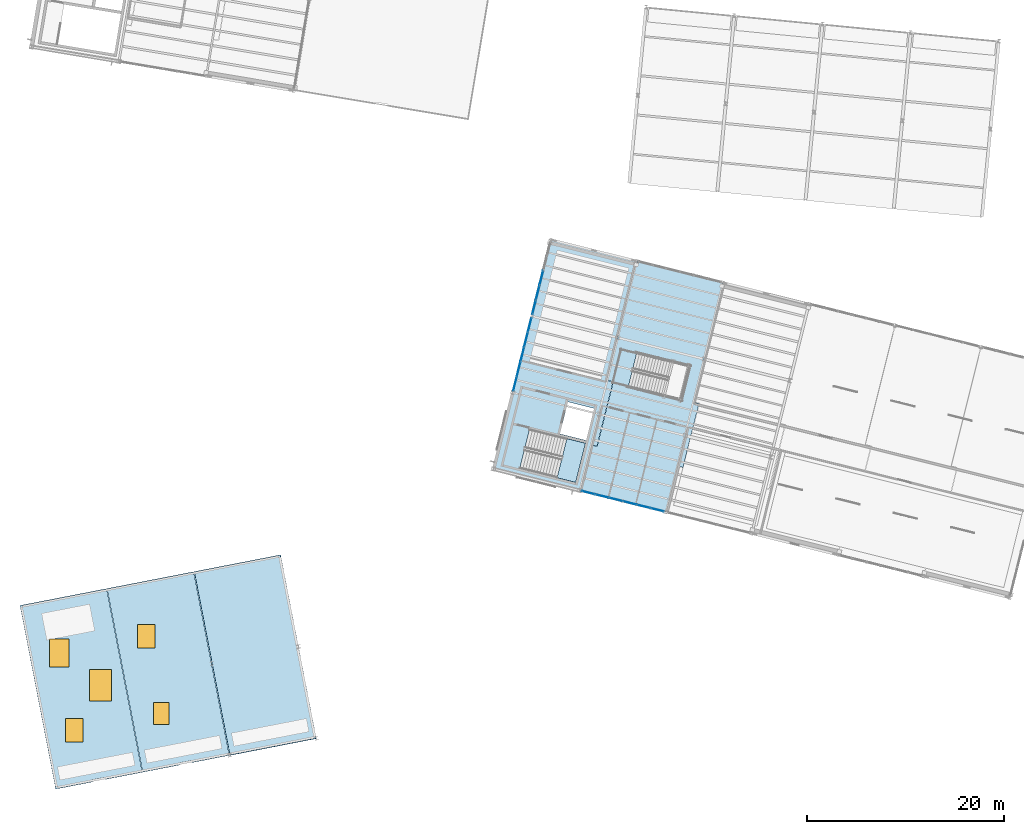
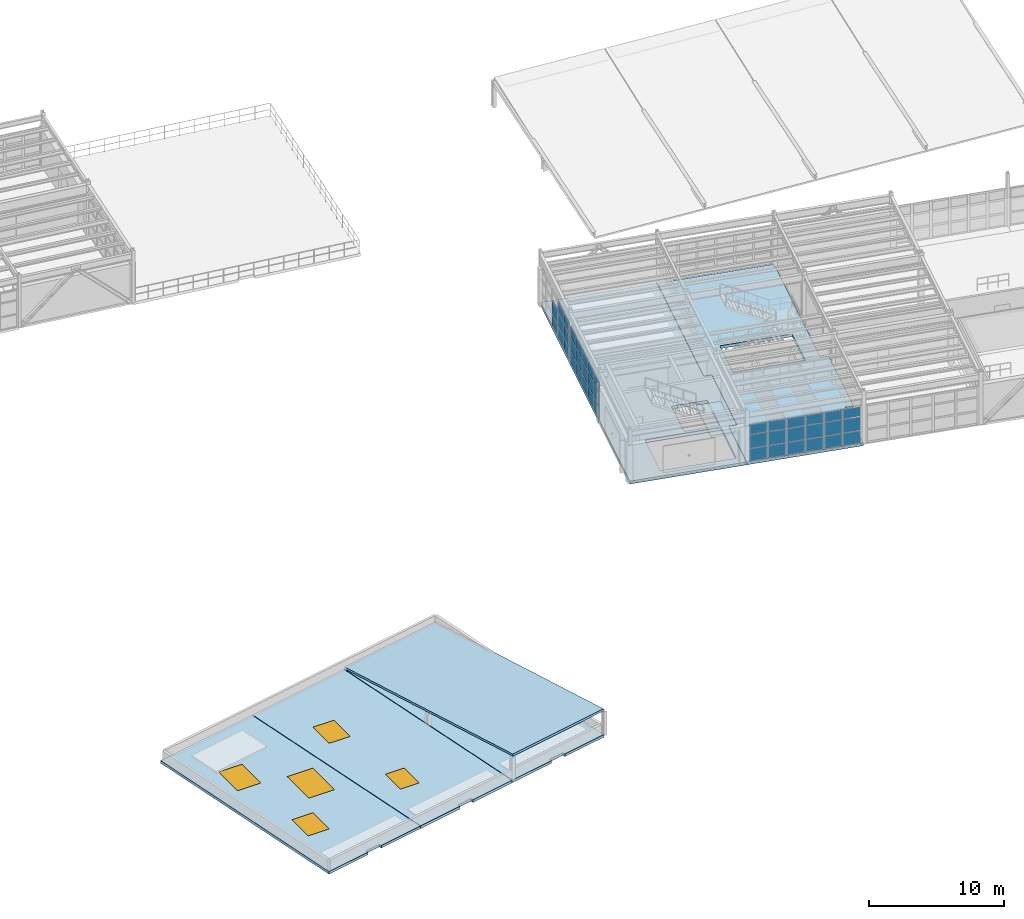
# One storey, part 33 of 59: 41 plates, 7 slabs, 5 windows, 5 openings, 4 elements without a shape of their own.
"""IFC4 building model written with IfcOpenShell, lengths in metres."""

from ifc_helpers import new_model, si_unit, direction, frame, origin, origin_2d, place, context, subcontext, project, spatial, polyline, rectangle, outline, extrude, material, layer, layer_set, type_object, element, fill, aggregate, save


model = new_model("IFC4")

# Units and contexts
model_context = context("Model", 3, precision=1e-05, world=origin(), true_north=direction((0.0, 1.0)))
body_context = subcontext(model_context, "Body", "Model", "MODEL_VIEW")
ifc_project = project(units=[si_unit("LENGTHUNIT", "METRE"), si_unit("AREAUNIT", "SQUARE_METRE"), si_unit("VOLUMEUNIT", "CUBIC_METRE"), si_unit("PLANEANGLEUNIT", "RADIAN"), si_unit("MASSUNIT", "GRAM", prefix="KILO")], contexts=[model_context])

# Site, building, storey
site_placement = place(None, origin())
site = spatial("IfcSite", under=ifc_project, at=site_placement, CompositionType="ELEMENT")
building_placement = place(site_placement, origin())
building = spatial("IfcBuilding", under=site, at=building_placement, Name="Vireo Bluff Cable Station", CompositionType="ELEMENT")
storey_placement = place(building_placement, frame((0.0, 0.0, 14.39990234375)))
storey = spatial("IfcBuildingStorey", under=building, at=storey_placement, Name="L03", CompositionType="ELEMENT", Elevation=14.39990234375)

# Curtain wall, plates
ifc_material_1 = material(Name="Anodized Aluminium 6063-T6", Category="aluminium")
ifc_layer_1 = layer(ifc_material_1, 0.179931640625, Name="Anodized Aluminium 6063-T6")
ifc_layer_set_1 = layer_set([ifc_layer_1], Name="Anodized Aluminium 6063-T6")
curtain_wall_type_1 = type_object("IfcCurtainWallType", Name="CW-UNIT-1400", PredefinedType="USERDEFINED", material=ifc_layer_set_1)
curtain_wall_1_placement = place(storey_placement, origin())
curtain_wall_1 = element("IfcCurtainWall", 1, at=curtain_wall_1_placement, inside=storey, type_object=curtain_wall_type_1, Name="V1 L03 south curtain wall CW-021", ObjectType="UNITISED CURTAIN WALL", PredefinedType="USERDEFINED")
ifc_material_2 = material(Name="Laminated Low-E Insulated Glass", Category="glass")
ifc_layer_2 = layer(ifc_material_2, 0.031982421875, Name="Laminated Low-E Insulated Glass")
ifc_layer_set_2 = layer_set([ifc_layer_2], Name="Laminated Low-E Insulated Glass")
plate_type_1 = type_object("IfcPlateType", Name="CWP-32-2", PredefinedType="CURTAIN_PANEL", material=ifc_layer_set_2)
plate_1_placement = place(storey_placement, frame((70.59375, 33.86279296875, 0.0751953125), z_axis=(0.0, 0.0, 1.0), x_axis=(-0.970295731947, 0.241921872856, 0.0)))
plate_1 = element("IfcPlate", 2, at=plate_1_placement, type_object=plate_type_1, Name="CW-021 panel 1.1", PredefinedType="CURTAIN_PANEL", context=body_context, shape_type="SweptSolid", body=[
    extrude(rectangle(XDim=1.335693359375, YDim=0.031982421875, at=origin_2d()), origin(), (0.0, 0.0, 1.0), 1.077392578125),
])
plate_2_placement = place(storey_placement, frame((70.59375, 33.86279296875, 1.2275390625), z_axis=(0.0, 0.0, 1.0), x_axis=(-0.970295731947, 0.241921872856, 0.0)))
plate_2 = element("IfcPlate", 3, at=plate_2_placement, type_object=plate_type_1, Name="CW-021 panel 1.2", PredefinedType="CURTAIN_PANEL", context=body_context, shape_type="SweptSolid", body=[
    extrude(rectangle(XDim=1.335693359375, YDim=0.031982421875, at=origin_2d()), origin(), (0.0, 0.0, 1.0), 1.18310546875),
])
plate_3_placement = place(storey_placement, frame((70.59375, 33.86279296875, 2.4853515625), z_axis=(0.0, 0.0, 1.0), x_axis=(-0.970295731947, 0.241921872856, 0.0)))
plate_3 = element("IfcPlate", 4, at=plate_3_placement, type_object=plate_type_1, Name="CW-021 panel 1.3", PredefinedType="CURTAIN_PANEL", context=body_context, shape_type="SweptSolid", body=[
    extrude(rectangle(XDim=1.335693359375, YDim=0.031982421875, at=origin_2d()), origin(), (0.0, 0.0, 1.0), 0.839599609375),
])
plate_4_placement = place(storey_placement, frame((69.206787109375, 34.20849609375, 0.0751953125), z_axis=(0.0, 0.0, 1.0), x_axis=(-0.970295731947, 0.241921872856, 0.0)))
plate_4 = element("IfcPlate", 5, at=plate_4_placement, type_object=plate_type_1, Name="CW-021 panel 2.1", PredefinedType="CURTAIN_PANEL", context=body_context, shape_type="SweptSolid", body=[
    extrude(rectangle(XDim=1.373046875, YDim=0.031982421875, at=origin_2d()), origin(), (0.0, 0.0, 1.0), 1.077392578125),
])
plate_5_placement = place(storey_placement, frame((69.206787109375, 34.20849609375, 1.2275390625), z_axis=(0.0, 0.0, 1.0), x_axis=(-0.970295731947, 0.241921872856, 0.0)))
plate_5 = element("IfcPlate", 6, at=plate_5_placement, type_object=plate_type_1, Name="CW-021 panel 2.2", PredefinedType="CURTAIN_PANEL", context=body_context, shape_type="SweptSolid", body=[
    extrude(rectangle(XDim=1.373046875, YDim=0.031982421875, at=origin_2d()), origin(), (0.0, 0.0, 1.0), 1.18310546875),
])
plate_6_placement = place(storey_placement, frame((69.206787109375, 34.20849609375, 2.4853515625), z_axis=(0.0, 0.0, 1.0), x_axis=(-0.970295731947, 0.241921872856, 0.0)))
plate_6 = element("IfcPlate", 7, at=plate_6_placement, type_object=plate_type_1, Name="CW-021 panel 2.3", PredefinedType="CURTAIN_PANEL", context=body_context, shape_type="SweptSolid", body=[
    extrude(rectangle(XDim=1.373046875, YDim=0.031982421875, at=origin_2d()), origin(), (0.0, 0.0, 1.0), 0.839599609375),
])
plate_7_placement = place(storey_placement, frame((67.801513671875, 34.558837890625, 0.0751953125), z_axis=(0.0, 0.0, 1.0), x_axis=(-0.970295731947, 0.241921872856, 0.0)))
plate_7 = element("IfcPlate", 8, at=plate_7_placement, type_object=plate_type_1, Name="CW-021 panel 3.1", PredefinedType="CURTAIN_PANEL", context=body_context, shape_type="SweptSolid", body=[
    extrude(rectangle(XDim=1.373046875, YDim=0.031982421875, at=origin_2d()), origin(), (0.0, 0.0, 1.0), 1.077392578125),
])
plate_8_placement = place(storey_placement, frame((67.801513671875, 34.558837890625, 1.2275390625), z_axis=(0.0, 0.0, 1.0), x_axis=(-0.970295731947, 0.241921872856, 0.0)))
plate_8 = element("IfcPlate", 9, at=plate_8_placement, type_object=plate_type_1, Name="CW-021 panel 3.2", PredefinedType="CURTAIN_PANEL", context=body_context, shape_type="SweptSolid", body=[
    extrude(rectangle(XDim=1.373046875, YDim=0.031982421875, at=origin_2d()), origin(), (0.0, 0.0, 1.0), 1.18310546875),
])
plate_9_placement = place(storey_placement, frame((67.801513671875, 34.558837890625, 2.4853515625), z_axis=(0.0, 0.0, 1.0), x_axis=(-0.970295731947, 0.241921872856, 0.0)))
plate_9 = element("IfcPlate", 10, at=plate_9_placement, type_object=plate_type_1, Name="CW-021 panel 3.3", PredefinedType="CURTAIN_PANEL", context=body_context, shape_type="SweptSolid", body=[
    extrude(rectangle(XDim=1.373046875, YDim=0.031982421875, at=origin_2d()), origin(), (0.0, 0.0, 1.0), 0.839599609375),
])
plate_10_placement = place(storey_placement, frame((66.396484375, 34.9091796875, 0.0751953125), z_axis=(0.0, 0.0, 1.0), x_axis=(-0.970295731947, 0.241921872856, 0.0)))
plate_10 = element("IfcPlate", 11, at=plate_10_placement, type_object=plate_type_1, Name="CW-021 panel 4.1", PredefinedType="CURTAIN_PANEL", context=body_context, shape_type="SweptSolid", body=[
    extrude(rectangle(XDim=1.373046875, YDim=0.031982421875, at=origin_2d()), origin(), (0.0, 0.0, 1.0), 1.077392578125),
])
plate_11_placement = place(storey_placement, frame((66.396484375, 34.9091796875, 1.2275390625), z_axis=(0.0, 0.0, 1.0), x_axis=(-0.970295731947, 0.241921872856, 0.0)))
plate_11 = element("IfcPlate", 12, at=plate_11_placement, type_object=plate_type_1, Name="CW-021 panel 4.2", PredefinedType="CURTAIN_PANEL", context=body_context, shape_type="SweptSolid", body=[
    extrude(rectangle(XDim=1.373046875, YDim=0.031982421875, at=origin_2d()), origin(), (0.0, 0.0, 1.0), 1.18310546875),
])
plate_12_placement = place(storey_placement, frame((66.396484375, 34.9091796875, 2.4853515625), z_axis=(0.0, 0.0, 1.0), x_axis=(-0.970295731947, 0.241921872856, 0.0)))
plate_12 = element("IfcPlate", 13, at=plate_12_placement, type_object=plate_type_1, Name="CW-021 panel 4.3", PredefinedType="CURTAIN_PANEL", context=body_context, shape_type="SweptSolid", body=[
    extrude(rectangle(XDim=1.373046875, YDim=0.031982421875, at=origin_2d()), origin(), (0.0, 0.0, 1.0), 0.839599609375),
])
plate_13_placement = place(storey_placement, frame((64.9912109375, 35.259521484375, 0.0751953125), z_axis=(0.0, 0.0, 1.0), x_axis=(-0.970295731947, 0.241921872856, 0.0)))
plate_13 = element("IfcPlate", 14, at=plate_13_placement, type_object=plate_type_1, Name="CW-021 panel 5.1", PredefinedType="CURTAIN_PANEL", context=body_context, shape_type="SweptSolid", body=[
    extrude(rectangle(XDim=1.373046875, YDim=0.031982421875, at=origin_2d()), origin(), (0.0, 0.0, 1.0), 1.077392578125),
])
plate_14_placement = place(storey_placement, frame((64.9912109375, 35.259521484375, 1.2275390625), z_axis=(0.0, 0.0, 1.0), x_axis=(-0.970295731947, 0.241921872856, 0.0)))
plate_14 = element("IfcPlate", 15, at=plate_14_placement, type_object=plate_type_1, Name="CW-021 panel 5.2", PredefinedType="CURTAIN_PANEL", context=body_context, shape_type="SweptSolid", body=[
    extrude(rectangle(XDim=1.373046875, YDim=0.031982421875, at=origin_2d()), origin(), (0.0, 0.0, 1.0), 1.18310546875),
])
plate_15_placement = place(storey_placement, frame((64.9912109375, 35.259521484375, 2.4853515625), z_axis=(0.0, 0.0, 1.0), x_axis=(-0.970295731947, 0.241921872856, 0.0)))
plate_15 = element("IfcPlate", 16, at=plate_15_placement, type_object=plate_type_1, Name="CW-021 panel 5.3", PredefinedType="CURTAIN_PANEL", context=body_context, shape_type="SweptSolid", body=[
    extrude(rectangle(XDim=1.373046875, YDim=0.031982421875, at=origin_2d()), origin(), (0.0, 0.0, 1.0), 0.839599609375),
])
plate_16_placement = place(storey_placement, frame((63.604248046875, 35.60546875, 0.0751953125), z_axis=(0.0, 0.0, 1.0), x_axis=(-0.970295731947, 0.241921872856, 0.0)))
plate_16 = element("IfcPlate", 17, at=plate_16_placement, type_object=plate_type_1, Name="CW-021 panel 6.1", PredefinedType="CURTAIN_PANEL", context=body_context, shape_type="SweptSolid", body=[
    extrude(rectangle(XDim=1.335693359375, YDim=0.031982421875, at=origin_2d()), origin(), (0.0, 0.0, 1.0), 1.077392578125),
])
plate_17_placement = place(storey_placement, frame((63.604248046875, 35.60546875, 1.2275390625), z_axis=(0.0, 0.0, 1.0), x_axis=(-0.970295731947, 0.241921872856, 0.0)))
plate_17 = element("IfcPlate", 18, at=plate_17_placement, type_object=plate_type_1, Name="CW-021 panel 6.2", PredefinedType="CURTAIN_PANEL", context=body_context, shape_type="SweptSolid", body=[
    extrude(rectangle(XDim=1.335693359375, YDim=0.031982421875, at=origin_2d()), origin(), (0.0, 0.0, 1.0), 1.18310546875),
])
plate_18_placement = place(storey_placement, frame((63.604248046875, 35.60546875, 2.4853515625), z_axis=(0.0, 0.0, 1.0), x_axis=(-0.970295731947, 0.241921872856, 0.0)))
plate_18 = element("IfcPlate", 19, at=plate_18_placement, type_object=plate_type_1, Name="CW-021 panel 6.3", PredefinedType="CURTAIN_PANEL", context=body_context, shape_type="SweptSolid", body=[
    extrude(rectangle(XDim=1.335693359375, YDim=0.031982421875, at=origin_2d()), origin(), (0.0, 0.0, 1.0), 0.839599609375),
])
aggregate(curtain_wall_1, [plate_1, plate_2, plate_3, plate_4, plate_5, plate_6, plate_7, plate_8, plate_9, plate_10, plate_11, plate_12, plate_13, plate_14, plate_15, plate_16, plate_17, plate_18])

ifc_layer_3 = layer(ifc_material_1, 0.179931640625, Name="Anodized Aluminium 6063-T6")
ifc_layer_set_3 = layer_set([ifc_layer_3], Name="Anodized Aluminium 6063-T6")
curtain_wall_type_2 = type_object("IfcCurtainWallType", Name="CW-UNIT-1500", PredefinedType="USERDEFINED", material=ifc_layer_set_3)
curtain_wall_2_placement = place(storey_placement, origin())
curtain_wall_2 = element("IfcCurtainWall", 20, at=curtain_wall_2_placement, inside=storey, type_object=curtain_wall_type_2, Name="V1 L03 west curtain wall CW-022", ObjectType="UNITISED CURTAIN WALL", PredefinedType="USERDEFINED")
ifc_layer_4 = layer(ifc_material_2, 0.035888671875, Name="Laminated Low-E Insulated Glass")
ifc_layer_set_4 = layer_set([ifc_layer_4], Name="Laminated Low-E Insulated Glass")
plate_type_2 = type_object("IfcPlateType", Name="CWP-36-3", PredefinedType="CURTAIN_PANEL", material=ifc_layer_set_4)
plate_19_placement = place(storey_placement, frame((56.1630859375, 46.675537109375, 0.06005859375), z_axis=(0.0, 0.0, 1.0), x_axis=(0.241921938225, 0.970295715648, 0.0)))
plate_19 = element("IfcPlate", 21, at=plate_19_placement, type_object=plate_type_2, Name="CW-022 panel 1.1", PredefinedType="CURTAIN_PANEL", context=body_context, shape_type="SweptSolid", body=[
    extrude(rectangle(XDim=1.4521484375, YDim=0.035888671875, at=origin_2d()), origin(), (0.0, 0.0, 1.0), 1.10009765625),
])
plate_20_placement = place(storey_placement, frame((56.1630859375, 46.675537109375, 1.22021484375), z_axis=(0.0, 0.0, 1.0), x_axis=(0.241921938225, 0.970295715648, 0.0)))
plate_20 = element("IfcPlate", 22, at=plate_20_placement, type_object=plate_type_2, Name="CW-022 panel 1.2", PredefinedType="CURTAIN_PANEL", context=body_context, shape_type="SweptSolid", body=[
    extrude(rectangle(XDim=1.4521484375, YDim=0.035888671875, at=origin_2d()), origin(), (0.0, 0.0, 1.0), 1.197998046875),
])
plate_21_placement = place(storey_placement, frame((56.1630859375, 46.675537109375, 2.47802734375), z_axis=(0.0, 0.0, 1.0), x_axis=(0.241921938225, 0.970295715648, 0.0)))
plate_21 = element("IfcPlate", 23, at=plate_21_placement, type_object=plate_type_2, Name="CW-022 panel 1.3", PredefinedType="CURTAIN_PANEL", context=body_context, shape_type="SweptSolid", body=[
    extrude(rectangle(XDim=1.4521484375, YDim=0.035888671875, at=origin_2d()), origin(), (0.0, 0.0, 1.0), 0.862060546875),
])
plate_22_placement = place(storey_placement, frame((56.532470703125, 48.1572265625, 0.06005859375), z_axis=(0.0, 0.0, 1.0), x_axis=(0.241921938225, 0.970295715648, 0.0)))
plate_22 = element("IfcPlate", 24, at=plate_22_placement, type_object=plate_type_2, Name="CW-022 panel 2.1", PredefinedType="CURTAIN_PANEL", context=body_context, shape_type="SweptSolid", body=[
    extrude(rectangle(XDim=1.482177734375, YDim=0.035888671875, at=origin_2d()), origin(), (0.0, 0.0, 1.0), 1.10009765625),
])
plate_23_placement = place(storey_placement, frame((56.532470703125, 48.1572265625, 1.22021484375), z_axis=(0.0, 0.0, 1.0), x_axis=(0.241921938225, 0.970295715648, 0.0)))
plate_23 = element("IfcPlate", 25, at=plate_23_placement, type_object=plate_type_2, Name="CW-022 panel 2.2", PredefinedType="CURTAIN_PANEL", context=body_context, shape_type="SweptSolid", body=[
    extrude(rectangle(XDim=1.482177734375, YDim=0.035888671875, at=origin_2d()), origin(), (0.0, 0.0, 1.0), 1.197998046875),
])
plate_24_placement = place(storey_placement, frame((56.532470703125, 48.1572265625, 2.47802734375), z_axis=(0.0, 0.0, 1.0), x_axis=(0.241921938225, 0.970295715648, 0.0)))
plate_24 = element("IfcPlate", 26, at=plate_24_placement, type_object=plate_type_2, Name="CW-022 panel 2.3", PredefinedType="CURTAIN_PANEL", context=body_context, shape_type="SweptSolid", body=[
    extrude(rectangle(XDim=1.482177734375, YDim=0.035888671875, at=origin_2d()), origin(), (0.0, 0.0, 1.0), 0.862060546875),
])
plate_25_placement = place(storey_placement, frame((56.905517578125, 49.65380859375, 0.06005859375), z_axis=(0.0, 0.0, 1.0), x_axis=(0.241921938225, 0.970295715648, 0.0)))
plate_25 = element("IfcPlate", 27, at=plate_25_placement, type_object=plate_type_2, Name="CW-022 panel 3.1", PredefinedType="CURTAIN_PANEL", context=body_context, shape_type="SweptSolid", body=[
    extrude(rectangle(XDim=1.482177734375, YDim=0.035888671875, at=origin_2d()), origin(), (0.0, 0.0, 1.0), 1.10009765625),
])
plate_26_placement = place(storey_placement, frame((56.905517578125, 49.65380859375, 1.22021484375), z_axis=(0.0, 0.0, 1.0), x_axis=(0.241921938225, 0.970295715648, 0.0)))
plate_26 = element("IfcPlate", 28, at=plate_26_placement, type_object=plate_type_2, Name="CW-022 panel 3.2", PredefinedType="CURTAIN_PANEL", context=body_context, shape_type="SweptSolid", body=[
    extrude(rectangle(XDim=1.482177734375, YDim=0.035888671875, at=origin_2d()), origin(), (0.0, 0.0, 1.0), 1.197998046875),
])
plate_27_placement = place(storey_placement, frame((56.905517578125, 49.65380859375, 2.47802734375), z_axis=(0.0, 0.0, 1.0), x_axis=(0.241921938225, 0.970295715648, 0.0)))
plate_27 = element("IfcPlate", 29, at=plate_27_placement, type_object=plate_type_2, Name="CW-022 panel 3.3", PredefinedType="CURTAIN_PANEL", context=body_context, shape_type="SweptSolid", body=[
    extrude(rectangle(XDim=1.482177734375, YDim=0.035888671875, at=origin_2d()), origin(), (0.0, 0.0, 1.0), 0.862060546875),
])
plate_28_placement = place(storey_placement, frame((57.27880859375, 51.150146484375, 0.06005859375), z_axis=(0.0, 0.0, 1.0), x_axis=(0.241921938225, 0.970295715648, 0.0)))
plate_28 = element("IfcPlate", 30, at=plate_28_placement, type_object=plate_type_2, Name="CW-022 panel 4.1", PredefinedType="CURTAIN_PANEL", context=body_context, shape_type="SweptSolid", body=[
    extrude(rectangle(XDim=1.482177734375, YDim=0.035888671875, at=origin_2d()), origin(), (0.0, 0.0, 1.0), 1.10009765625),
])
plate_29_placement = place(storey_placement, frame((57.27880859375, 51.150146484375, 1.22021484375), z_axis=(0.0, 0.0, 1.0), x_axis=(0.241921938225, 0.970295715648, 0.0)))
plate_29 = element("IfcPlate", 31, at=plate_29_placement, type_object=plate_type_2, Name="CW-022 panel 4.2", PredefinedType="CURTAIN_PANEL", context=body_context, shape_type="SweptSolid", body=[
    extrude(rectangle(XDim=1.482177734375, YDim=0.035888671875, at=origin_2d()), origin(), (0.0, 0.0, 1.0), 1.197998046875),
])
plate_30_placement = place(storey_placement, frame((57.27880859375, 51.150146484375, 2.47802734375), z_axis=(0.0, 0.0, 1.0), x_axis=(0.241921938225, 0.970295715648, 0.0)))
plate_30 = element("IfcPlate", 32, at=plate_30_placement, type_object=plate_type_2, Name="CW-022 panel 4.3", PredefinedType="CURTAIN_PANEL", context=body_context, shape_type="SweptSolid", body=[
    extrude(rectangle(XDim=1.482177734375, YDim=0.035888671875, at=origin_2d()), origin(), (0.0, 0.0, 1.0), 0.862060546875),
])
plate_31_placement = place(storey_placement, frame((57.648193359375, 52.632080078125, 0.06005859375), z_axis=(0.0, 0.0, 1.0), x_axis=(0.241921938225, 0.970295715648, 0.0)))
plate_31 = element("IfcPlate", 33, at=plate_31_placement, type_object=plate_type_2, Name="CW-022 panel 5.1", PredefinedType="CURTAIN_PANEL", context=body_context, shape_type="SweptSolid", body=[
    extrude(rectangle(XDim=1.4521484375, YDim=0.035888671875, at=origin_2d()), origin(), (0.0, 0.0, 1.0), 1.10009765625),
])
plate_32_placement = place(storey_placement, frame((57.648193359375, 52.632080078125, 1.22021484375), z_axis=(0.0, 0.0, 1.0), x_axis=(0.241921938225, 0.970295715648, 0.0)))
plate_32 = element("IfcPlate", 34, at=plate_32_placement, type_object=plate_type_2, Name="CW-022 panel 5.2", PredefinedType="CURTAIN_PANEL", context=body_context, shape_type="SweptSolid", body=[
    extrude(rectangle(XDim=1.4521484375, YDim=0.035888671875, at=origin_2d()), origin(), (0.0, 0.0, 1.0), 1.197998046875),
])
plate_33_placement = place(storey_placement, frame((57.648193359375, 52.632080078125, 2.47802734375), z_axis=(0.0, 0.0, 1.0), x_axis=(0.241921938225, 0.970295715648, 0.0)))
plate_33 = element("IfcPlate", 35, at=plate_33_placement, type_object=plate_type_2, Name="CW-022 panel 5.3", PredefinedType="CURTAIN_PANEL", context=body_context, shape_type="SweptSolid", body=[
    extrude(rectangle(XDim=1.4521484375, YDim=0.035888671875, at=origin_2d()), origin(), (0.0, 0.0, 1.0), 0.862060546875),
])
aggregate(curtain_wall_2, [plate_19, plate_20, plate_21, plate_22, plate_23, plate_24, plate_25, plate_26, plate_27, plate_28, plate_29, plate_30, plate_31, plate_32, plate_33])

ifc_layer_5 = layer(ifc_material_1, 0.179931640625, Name="Anodized Aluminium 6063-T6")
ifc_layer_set_5 = layer_set([ifc_layer_5], Name="Anodized Aluminium 6063-T6")
curtain_wall_type_3 = type_object("IfcCurtainWallType", Name="CW-UNIT-1650", PredefinedType="USERDEFINED", material=ifc_layer_set_5)
curtain_wall_3_placement = place(storey_placement, origin())
curtain_wall_3 = element("IfcCurtainWall", 36, at=curtain_wall_3_placement, inside=storey, type_object=curtain_wall_type_3, Name="V1 L03 west curtain wall CW-023", ObjectType="UNITISED CURTAIN WALL", PredefinedType="USERDEFINED")
ifc_material_3 = material(Name="Insulated Spandrel Glass Panel", Category="glass")
ifc_layer_6 = layer(ifc_material_3, 0.0419921875, Name="Insulated Spandrel Glass Panel")
ifc_layer_set_6 = layer_set([ifc_layer_6], Name="Insulated Spandrel Glass Panel")
plate_type_3 = type_object("IfcPlateType", Name="CWP-42-4", PredefinedType="CURTAIN_PANEL", material=ifc_layer_set_6)
plate_34_placement = place(storey_placement, frame((58.09521484375, 54.4248046875, 0.080078125), z_axis=(0.0, 0.0, 1.0), x_axis=(0.241921913906, 0.970295721712, 0.0)))
plate_34 = element("IfcPlate", 37, at=plate_34_placement, type_object=plate_type_3, Name="CW-023 panel 1.1", PredefinedType="CURTAIN_PANEL", context=body_context, shape_type="SweptSolid", body=[
    extrude(rectangle(XDim=1.42724609375, YDim=0.0419921875, at=origin_2d()), origin(), (0.0, 0.0, 1.0), 1.070068359375),
])
plate_35_placement = place(storey_placement, frame((58.09521484375, 54.4248046875, 1.22998046875), z_axis=(0.0, 0.0, 1.0), x_axis=(0.241921913906, 0.970295721712, 0.0)))
plate_35 = element("IfcPlate", 38, at=plate_35_placement, type_object=plate_type_3, Name="CW-023 panel 1.2", PredefinedType="CURTAIN_PANEL", context=body_context, shape_type="SweptSolid", body=[
    extrude(rectangle(XDim=1.42724609375, YDim=0.0419921875, at=origin_2d()), origin(), (0.0, 0.0, 1.0), 1.177978515625),
])
plate_36_placement = place(storey_placement, frame((58.09521484375, 54.4248046875, 2.488037109375), z_axis=(0.0, 0.0, 1.0), x_axis=(0.241921913906, 0.970295721712, 0.0)))
plate_36 = element("IfcPlate", 39, at=plate_36_placement, type_object=plate_type_3, Name="CW-023 panel 1.3", PredefinedType="CURTAIN_PANEL", context=body_context, shape_type="SweptSolid", body=[
    extrude(rectangle(XDim=1.42724609375, YDim=0.0419921875, at=origin_2d()), origin(), (0.0, 0.0, 1.0), 0.83203125),
])
plate_37_placement = place(storey_placement, frame((58.464599609375, 55.906494140625, 0.080078125), z_axis=(0.0, 0.0, 1.0), x_axis=(0.241921913906, 0.970295721712, 0.0)))
plate_37 = element("IfcPlate", 40, at=plate_37_placement, type_object=plate_type_3, Name="CW-023 panel 2.1", PredefinedType="CURTAIN_PANEL", context=body_context, shape_type="SweptSolid", body=[
    extrude(rectangle(XDim=1.46728515625, YDim=0.0419921875, at=origin_2d()), origin(), (0.0, 0.0, 1.0), 1.070068359375),
])
plate_38_placement = place(storey_placement, frame((58.464599609375, 55.906494140625, 1.22998046875), z_axis=(0.0, 0.0, 1.0), x_axis=(0.241921913906, 0.970295721712, 0.0)))
plate_38 = element("IfcPlate", 41, at=plate_38_placement, type_object=plate_type_3, Name="CW-023 panel 2.2", PredefinedType="CURTAIN_PANEL", context=body_context, shape_type="SweptSolid", body=[
    extrude(rectangle(XDim=1.46728515625, YDim=0.0419921875, at=origin_2d()), origin(), (0.0, 0.0, 1.0), 1.177978515625),
])
plate_39_placement = place(storey_placement, frame((58.464599609375, 55.906494140625, 2.488037109375), z_axis=(0.0, 0.0, 1.0), x_axis=(0.241921913906, 0.970295721712, 0.0)))
plate_39 = element("IfcPlate", 42, at=plate_39_placement, type_object=plate_type_3, Name="CW-023 panel 2.3", PredefinedType="CURTAIN_PANEL", context=body_context, shape_type="SweptSolid", body=[
    extrude(rectangle(XDim=1.46728515625, YDim=0.0419921875, at=origin_2d()), origin(), (0.0, 0.0, 1.0), 0.83203125),
])
plate_40_placement = place(storey_placement, frame((58.8388671875, 57.407958984375, 0.080078125), z_axis=(0.0, 0.0, 1.0), x_axis=(0.241921913906, 0.970295721712, 0.0)))
plate_40 = element("IfcPlate", 43, at=plate_40_placement, type_object=plate_type_3, Name="CW-023 panel 3.1", PredefinedType="CURTAIN_PANEL", context=body_context, shape_type="SweptSolid", body=[
    extrude(rectangle(XDim=1.46728515625, YDim=0.0419921875, at=origin_2d()), origin(), (0.0, 0.0, 1.0), 1.070068359375),
])
plate_41_placement = place(storey_placement, frame((58.8388671875, 57.407958984375, 1.22998046875), z_axis=(0.0, 0.0, 1.0), x_axis=(0.241921913906, 0.970295721712, 0.0)))
plate_41 = element("IfcPlate", 44, at=plate_41_placement, type_object=plate_type_3, Name="CW-023 panel 3.2", PredefinedType="CURTAIN_PANEL", context=body_context, shape_type="SweptSolid", body=[
    extrude(rectangle(XDim=1.46728515625, YDim=0.0419921875, at=origin_2d()), origin(), (0.0, 0.0, 1.0), 1.177978515625),
])
aggregate(curtain_wall_3, [plate_34, plate_35, plate_36, plate_37, plate_38, plate_39, plate_40, plate_41])

# Slabs
ifc_material_4 = material(Name="Concrete f'c 40 MPa", Category="concrete")
ifc_layer_7 = layer(ifc_material_4, 0.260009765625, Name="Concrete f'c 40 MPa")
ifc_layer_set_7 = layer_set([ifc_layer_7], Name="Concrete f'c 40 MPa")
slab_type_1 = type_object("IfcSlabType", Name="FLOORSLAB-260", PredefinedType="FLOOR", material=ifc_layer_set_7)
slab_1_placement = place(storey_placement, frame((0.0, 0.0, -0.260009765625)))
element("IfcSlab", 45, at=slab_1_placement, inside=storey, type_object=slab_type_1, Name="V1 L03 floor slab bay 1", PredefinedType="FLOOR", context=body_context, shape_type="SweptSolid", body=[
    extrude(outline(polyline([(54.0, 38.0), (62.722900390625, 35.8251953125), (63.88427734375, 40.482421875), (64.48583984375, 40.33251953125), (66.111572265625, 46.85302734375), (65.510009765625, 47.0029296875), (68.529052734375, 59.1123046875), (59.80615234375, 61.287109375), (54.0, 38.0)]), holes=[polyline([(56.64453125, 38.06298828125), (57.635986328125, 42.03955078125), (63.310791015625, 40.624755859375), (62.3193359375, 36.64794921875), (56.64453125, 38.06298828125)]), polyline([(60.717041015625, 41.582275390625), (61.527099609375, 44.8310546875), (64.19384765625, 44.166259765625), (63.3837890625, 40.917236328125), (60.717041015625, 41.582275390625)])]), origin(), (0.0, 0.0, 1.0), 0.260009765625),
])
slab_2_placement = place(storey_placement, frame((0.0, 0.0, -0.260009765625)))
element("IfcSlab", 46, at=slab_2_placement, inside=storey, type_object=slab_type_1, Name="V1 L03 floor slab bay 2", PredefinedType="FLOOR", context=body_context, shape_type="SweptSolid", body=[
    extrude(outline(polyline([(62.742431640625, 35.8203125), (71.45556640625, 33.647705078125), (72.616943359375, 38.30517578125), (73.218505859375, 38.1552734375), (74.84423828125, 44.675537109375), (74.24267578125, 44.82568359375), (77.26171875, 56.934814453125), (68.548583984375, 59.107421875), (65.5341796875, 47.017578125), (66.1357421875, 46.867431640625), (64.500244140625, 40.308349609375), (63.898681640625, 40.458251953125), (62.742431640625, 35.8203125)]), holes=[polyline([(67.6552734375, 46.34521484375), (68.51611328125, 49.7978515625), (73.919189453125, 48.45068359375), (73.058349609375, 44.998046875), (67.6552734375, 46.34521484375)])]), origin(), (0.0, 0.0, 1.0), 0.260009765625),
])

# Stair, slab
stair_type = type_object("IfcStairType", Name="STAIR-HT-1950", PredefinedType="HALF_TURN_STAIR", material=ifc_material_4)
stair_placement = place(storey_placement, origin())
stair = element("IfcStair", 47, at=stair_placement, inside=storey, type_object=stair_type, Name="L03 CORE-2 Exit Stair ST-02", PredefinedType="HALF_TURN_STAIR")
ifc_layer_8 = layer(ifc_material_4, 0.199951171875, Name="Concrete f'c 40 MPa")
ifc_layer_set_8 = layer_set([ifc_layer_8], Name="Concrete f'c 40 MPa")
slab_type_2 = type_object("IfcSlabType", Name="LANDING-200", PredefinedType="LANDING", material=ifc_layer_set_8)
slab_3_placement = place(storey_placement, frame((0.0, 0.0, 2.2001953125)))
slab_3 = element("IfcSlab", 48, at=slab_3_placement, type_object=slab_type_2, Name="ST-02 landing 1", PredefinedType="LANDING", context=body_context, shape_type="SweptSolid", body=[
    extrude(outline(polyline([(60.427001953125, 37.118896484375), (62.31982421875, 36.64697265625), (63.311767578125, 40.625244140625), (61.4189453125, 41.09716796875), (60.427001953125, 37.118896484375)])), origin(), (0.0, 0.0, 1.0), 0.199951171875),
])
aggregate(stair, [slab_3])

# Slab
ifc_material_5 = material(Name="Concrete f'c 50 MPa", Category="concrete")
ifc_layer_9 = layer(ifc_material_5, 0.18994140625, Name="Concrete f'c 50 MPa")
ifc_layer_set_9 = layer_set([ifc_layer_9], Name="Concrete f'c 50 MPa")
slab_type_3 = type_object("IfcSlabType", Name="ROOFSLAB-190-2", PredefinedType="ROOF", material=ifc_layer_set_9)
slab_4_placement = place(storey_placement, frame((23.593017578125, 27.594970703125, 0.18017578125), z_axis=(-0.021552642716, 0.110877130475, 0.993600395295), x_axis=(0.981626666373, 0.190811655478, 0.0)))
element("IfcSlab", 49, at=slab_4_placement, inside=storey, type_object=slab_type_3, Name="V5 deconstructivist prow roof shard", PredefinedType="ROOF", context=body_context, shape_type="SweptSolid", body=[
    extrude(outline(polyline([(0.0, 0.0), (8.900096711828066, -2.220446049250313e-16), (8.899927952151362, -19.122314173407), (-0.0001687596767010394, -19.122314173406995), (0.0, 0.0)])), origin(), (0.0, 0.0, -1.0), 0.179931640625),
])

# Slab, openings, windows
ifc_layer_10 = layer(ifc_material_5, 0.239990234375, Name="Concrete f'c 50 MPa")
ifc_layer_set_10 = layer_set([ifc_layer_10], Name="Concrete f'c 50 MPa")
slab_type_4 = type_object("IfcSlabType", Name="ROOFSLAB-240-5", PredefinedType="ROOF", material=ifc_layer_set_10)
slab_5_placement = place(storey_placement, frame((0.0, 0.0, -0.239990234375)))
slab_5 = element("IfcSlab", 50, at=slab_5_placement, inside=storey, type_object=slab_type_4, Name="V5 upper roof slab 1", PredefinedType="ROOF", context=body_context, shape_type="SweptSolid", body=[
    extrude(outline(polyline([(9.51953125, 5.50390625), (13.279296875, 6.234619140625), (13.2373046875, 6.45068359375), (14.513427734375, 6.69873046875), (14.555419921875, 6.482666015625), (18.31494140625, 7.21337890625), (14.689697265625, 25.864501953125), (5.894287109375, 24.15478515625), (9.51953125, 5.50390625)])), origin(), (0.0, 0.0, 1.0), 0.239990234375),
])
opening_1_placement = place(slab_5_placement, frame((11.3955078125, 11.471435546875, -0.010009765625)))
opening_1 = element("IfcOpeningElement", 51, at=opening_1_placement, cuts=slab_5, Name="Opening SK-01", PredefinedType="OPENING", context=body_context, shape_type="SweptSolid", body=[
    extrude(rectangle(XDim=1.800048828125, YDim=2.39990234375, at=origin_2d()), origin(), (0.0, 0.0, 1.0), 0.260009765625),
])
opening_2_placement = place(slab_5_placement, frame((9.868896484375, 19.324462890625, -0.010009765625)))
opening_2 = element("IfcOpeningElement", 52, at=opening_2_placement, cuts=slab_5, Name="Opening SK-02", PredefinedType="OPENING", context=body_context, shape_type="SweptSolid", body=[
    extrude(rectangle(XDim=2.0, YDim=2.800048828125, at=origin_2d()), origin(), (0.0, 0.0, 1.0), 0.260009765625),
])
opening_3_placement = place(slab_5_placement, frame((14.06787109375, 16.065673828125, -0.010009765625)))
opening_3 = element("IfcOpeningElement", 53, at=opening_3_placement, cuts=slab_5, Name="Opening SK-03", PredefinedType="OPENING", context=body_context, shape_type="SweptSolid", body=[
    extrude(rectangle(XDim=2.199951171875, YDim=3.199951171875, at=origin_2d()), origin(), (0.0, 0.0, 1.0), 0.260009765625),
])
window_type_1 = type_object("IfcWindowType", Name="SKY-1800X2400", PartitioningType="SINGLE_PANEL", PredefinedType="SKYLIGHT", material=ifc_material_2)
window_1_placement = place(opening_1_placement, frame((0.0, 0.0, 0.18994140625)))
window_1 = element("IfcWindow", 54, at=window_1_placement, inside=storey, type_object=window_type_1, Name="V5 L03 roof skylight 1", OverallHeight=2.39990234375, OverallWidth=1.800048828125, PartitioningType="SINGLE_PANEL", PredefinedType="SKYLIGHT", context=body_context, shape_type="SweptSolid", body=[
    extrude(rectangle(XDim=1.800048828125, YDim=2.39990234375, at=origin_2d()), origin(), (0.0, 0.0, 1.0), 0.06005859375),
])
fill(opening_1, window_1)
window_type_2 = type_object("IfcWindowType", Name="SKY-2000X2800", PartitioningType="SINGLE_PANEL", PredefinedType="SKYLIGHT", material=ifc_material_2)
window_2_placement = place(opening_2_placement, frame((0.0, 0.0, 0.18994140625)))
window_2 = element("IfcWindow", 55, at=window_2_placement, inside=storey, type_object=window_type_2, Name="V5 L03 roof skylight 2", OverallHeight=2.800048828125, OverallWidth=2.0, PartitioningType="SINGLE_PANEL", PredefinedType="SKYLIGHT", context=body_context, shape_type="SweptSolid", body=[
    extrude(rectangle(XDim=2.0, YDim=2.800048828125, at=origin_2d()), origin(), (0.0, 0.0, 1.0), 0.06005859375),
])
fill(opening_2, window_2)
window_type_3 = type_object("IfcWindowType", Name="SKY-2200X3200", PartitioningType="SINGLE_PANEL", PredefinedType="SKYLIGHT", material=ifc_material_2)
window_3_placement = place(opening_3_placement, frame((0.0, 0.0, 0.18994140625)))
window_3 = element("IfcWindow", 56, at=window_3_placement, inside=storey, type_object=window_type_3, Name="V5 L03 roof skylight 3", OverallHeight=3.199951171875, OverallWidth=2.199951171875, PartitioningType="SINGLE_PANEL", PredefinedType="SKYLIGHT", context=body_context, shape_type="SweptSolid", body=[
    extrude(rectangle(XDim=2.199951171875, YDim=3.199951171875, at=origin_2d()), origin(), (0.0, 0.0, 1.0), 0.06005859375),
])
fill(opening_3, window_3)

slab_6_placement = place(storey_placement, frame((0.0, 0.0, -0.239990234375)))
slab_6 = element("IfcSlab", 57, at=slab_6_placement, inside=storey, type_object=slab_type_4, Name="V5 upper roof slab 2", PredefinedType="ROOF", context=body_context, shape_type="SweptSolid", body=[
    extrude(outline(polyline([(18.354248046875, 7.22119140625), (22.114013671875, 7.951904296875), (22.072021484375, 8.16796875), (23.34814453125, 8.416015625), (23.39013671875, 8.199951171875), (27.149658203125, 8.9306640625), (23.524169921875, 27.58154296875), (14.72900390625, 25.8720703125), (18.354248046875, 7.22119140625)])), origin(), (0.0, 0.0, 1.0), 0.239990234375),
])
opening_4_placement = place(slab_6_placement, frame((20.22998046875, 13.188720703125, -0.010009765625)))
opening_4 = element("IfcOpeningElement", 58, at=opening_4_placement, cuts=slab_6, Name="Opening SK-04", PredefinedType="OPENING", context=body_context, shape_type="SweptSolid", body=[
    extrude(rectangle(XDim=1.60009765625, YDim=2.199951171875, at=origin_2d()), origin(), (0.0, 0.0, 1.0), 0.260009765625),
])
opening_5_placement = place(slab_6_placement, frame((18.70361328125, 21.041748046875, -0.010009765625)))
opening_5 = element("IfcOpeningElement", 59, at=opening_5_placement, cuts=slab_6, Name="Opening SK-01", PredefinedType="OPENING", context=body_context, shape_type="SweptSolid", body=[
    extrude(rectangle(XDim=1.800048828125, YDim=2.39990234375, at=origin_2d()), origin(), (0.0, 0.0, 1.0), 0.260009765625),
])
window_type_4 = type_object("IfcWindowType", Name="SKY-1600X2200", PartitioningType="SINGLE_PANEL", PredefinedType="SKYLIGHT", material=ifc_material_2)
window_4_placement = place(opening_4_placement, frame((0.0, 0.0, 0.18994140625)))
window_4 = element("IfcWindow", 60, at=window_4_placement, inside=storey, type_object=window_type_4, Name="V5 L03 roof skylight 4", OverallHeight=2.199951171875, OverallWidth=1.60009765625, PartitioningType="SINGLE_PANEL", PredefinedType="SKYLIGHT", context=body_context, shape_type="SweptSolid", body=[
    extrude(rectangle(XDim=1.60009765625, YDim=2.199951171875, at=origin_2d()), origin(), (0.0, 0.0, 1.0), 0.06005859375),
])
fill(opening_4, window_4)
window_5_placement = place(opening_5_placement, frame((0.0, 0.0, 0.18994140625)))
window_5 = element("IfcWindow", 61, at=window_5_placement, inside=storey, type_object=window_type_1, Name="V5 L03 roof skylight 5", OverallHeight=2.39990234375, OverallWidth=1.800048828125, PartitioningType="SINGLE_PANEL", PredefinedType="SKYLIGHT", context=body_context, shape_type="SweptSolid", body=[
    extrude(rectangle(XDim=1.800048828125, YDim=2.39990234375, at=origin_2d()), origin(), (0.0, 0.0, 1.0), 0.06005859375),
])
fill(opening_5, window_5)

# Slab
slab_7_placement = place(storey_placement, frame((0.0, 0.0, -0.239990234375)))
element("IfcSlab", 62, at=slab_7_placement, inside=storey, type_object=slab_type_4, Name="V5 upper roof slab 3", PredefinedType="ROOF", context=body_context, shape_type="SweptSolid", body=[
    extrude(outline(polyline([(27.18896484375, 8.9384765625), (30.948486328125, 9.669189453125), (30.906494140625, 9.88525390625), (32.1826171875, 10.13330078125), (32.224609375, 9.917236328125), (35.984375, 10.64794921875), (32.35888671875, 29.298828125), (23.5634765625, 27.58935546875), (27.18896484375, 8.9384765625)])), origin(), (0.0, 0.0, 1.0), 0.239990234375),
])

save(model, "model.ifc")
